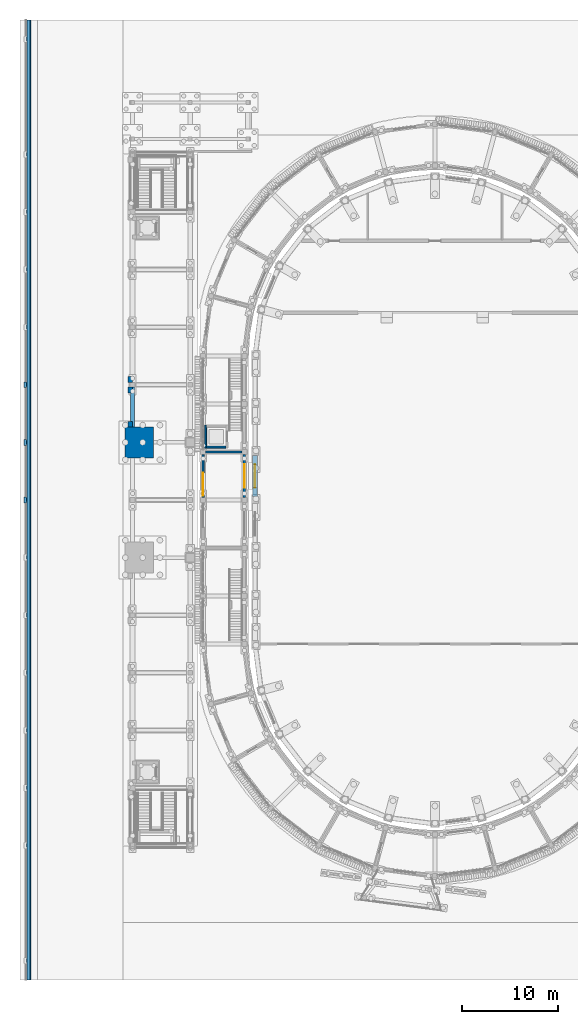
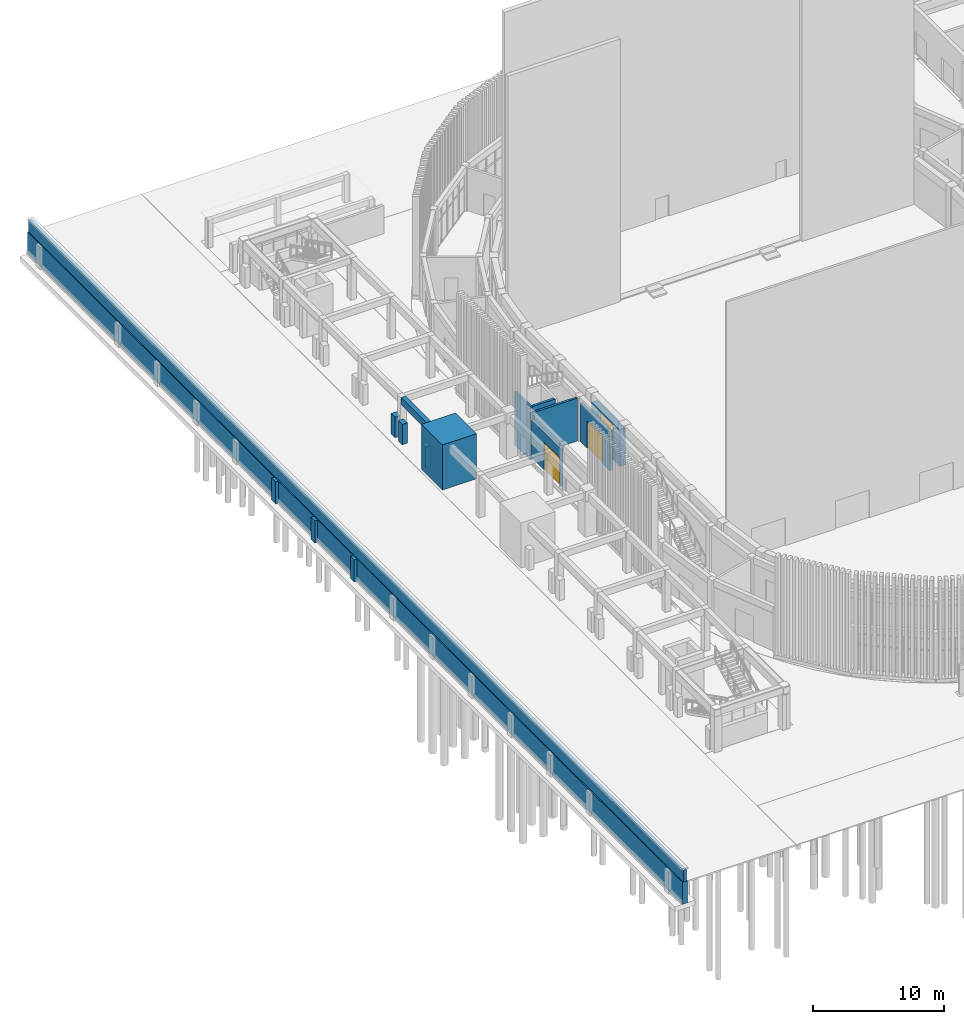
# One storey, part 61 of 112: 16 walls, 3 doors, 3 openings.
"""IFC4 building model written with IfcOpenShell, lengths in metres."""

import ifcopenshell
import ifcopenshell.guid

model = None  # the IFC model being written
_history = None  # IfcOwnerHistory: only IFC2X3 demands one
_inside = {}  # id of a spatial element -> (the spatial element, [elements in it])
_under = {}  # id of a project, library or spatial element -> (it, [spatial elements below it])
_declared = {}  # id of a project -> (the project, [libraries it declares])
_typed = {}  # id of a type object -> (the type object, [elements of that type])
_made_of = {}  # id of a material, layer set ... -> (it, [elements and type objects made of it])


def new_model(schema):
    """Start an empty IFC model of exactly this schema.

    Asked for "IFC4X3", IfcOpenShell would pick the latest addendum, in which some entities
    have other attributes; the version numbers below select the first issue.
    IFC2X3 requires an IfcOwnerHistory on every rooted entity: one is made here for all.
    """
    global model, _history
    if schema == "IFC4X3":
        model = ifcopenshell.file(schema_version=(4, 3, 0, 0))
    else:
        model = ifcopenshell.file(schema=schema)
    _inside.clear()
    _under.clear()
    _declared.clear()
    _typed.clear()
    _made_of.clear()
    _history = None
    if model.schema == "IFC2X3":
        org = make("IfcOrganization", Name="unknown")
        user = make(
            "IfcPersonAndOrganization",
            ThePerson=make("IfcPerson", FamilyName="unknown"),
            TheOrganization=org,
        )
        app = make(
            "IfcApplication",
            ApplicationDeveloper=org,
            Version="unknown",
            ApplicationFullName="unknown",
            ApplicationIdentifier="unknown",
        )
        _history = make(
            "IfcOwnerHistory",
            OwningUser=user,
            OwningApplication=app,
            ChangeAction="ADDED",
            CreationDate=0,
        )
    return model


def make(cls, **values):
    """One entity of the class cls with the attributes given. An attribute that is None is left unset."""
    return model.create_entity(
        cls, **{name: value for name, value in values.items() if value is not None}
    )


def rooted(cls, **values):
    """An entity with a GlobalId (a new one), such as an element, a storey or a relation."""
    return make(cls, GlobalId=ifcopenshell.guid.new(), OwnerHistory=_history, **values)


def si_unit(unit_type, name, prefix=None):
    """IfcSIUnit, for example si_unit("LENGTHUNIT", "METRE", prefix="MILLI")."""
    return make("IfcSIUnit", UnitType=unit_type, Prefix=prefix, Name=name)


def assignment(units):
    """IfcUnitAssignment: the units of a project."""
    return None if units is None else make("IfcUnitAssignment", Units=units)


def point(xyz):
    """IfcCartesianPoint."""
    return None if xyz is None else make("IfcCartesianPoint", Coordinates=xyz)


def direction(xyz):
    """IfcDirection."""
    return None if xyz is None else make("IfcDirection", DirectionRatios=xyz)


def frame(location, z_axis=None, x_axis=None):
    """IfcAxis2Placement3D, a coordinate frame: its origin and axes. An axis left out is left unset."""
    return make(
        "IfcAxis2Placement3D",
        Location=point(location),
        Axis=direction(z_axis),
        RefDirection=direction(x_axis),
    )


def frame_2d(location, x_axis=None):
    """IfcAxis2Placement2D, a coordinate frame in the plane: its origin and x axis."""
    return make(
        "IfcAxis2Placement2D", Location=point(location), RefDirection=direction(x_axis)
    )


def origin():
    """The frame at (0, 0, 0) with its axes left unset."""
    return frame((0.0, 0.0, 0.0))


def place(relative_to, where):
    """IfcLocalPlacement: puts the frame where relative to a parent placement (None: the world)."""
    return make(
        "IfcLocalPlacement", PlacementRelTo=relative_to, RelativePlacement=where
    )


def context(
    kind, dimensions, precision=None, world=None, true_north=None, identifier=None
):
    """IfcGeometricRepresentationContext, for example the 3D "Model" context."""
    return make(
        "IfcGeometricRepresentationContext",
        ContextIdentifier=identifier,
        ContextType=kind,
        CoordinateSpaceDimension=dimensions,
        Precision=precision,
        WorldCoordinateSystem=world,
        TrueNorth=true_north,
    )


def subcontext(parent, identifier, kind, view, scale=None):
    """IfcGeometricRepresentationSubContext, for example "Body" below "Model"."""
    return make(
        "IfcGeometricRepresentationSubContext",
        ContextIdentifier=identifier,
        ContextType=kind,
        ParentContext=parent,
        TargetScale=scale,
        TargetView=view,
    )


def project(units=None, contexts=None):
    """IfcProject with its units and contexts."""
    return rooted(
        "IfcProject",
        Name="project",
        RepresentationContexts=contexts,
        UnitsInContext=assignment(units),
    )


def spatial(cls, under=None, at=None, **own):
    """A site, building, storey or space (cls), placed at a placement, below another one or the project."""
    s = rooted(cls, ObjectPlacement=at, **own)
    if under is not None:
        _under.setdefault(under.id(), (under, []))[1].append(s)
    return s


def profile(cls, at=None, kind="AREA", **sizes):
    """A parametric profile (cls). Its sizes go by their IFC names, for example OverallWidth=200.0."""
    return make(cls, ProfileType=kind, Position=at, **sizes)


def rectangle(**sizes):
    """IfcRectangleProfileDef."""
    return profile("IfcRectangleProfileDef", **sizes)


def extrude(swept, where, along, depth):
    """IfcExtrudedAreaSolid: the profile swept, set in the frame where, extruded along a direction by depth."""
    return make(
        "IfcExtrudedAreaSolid",
        SweptArea=swept,
        Position=where,
        ExtrudedDirection=direction(along),
        Depth=depth,
    )


def shape(context_of_items, identifier, shape_type, items):
    """IfcShapeRepresentation: the items that make up one representation, for example the "Body"."""
    return make(
        "IfcShapeRepresentation",
        ContextOfItems=context_of_items,
        RepresentationIdentifier=identifier,
        RepresentationType=shape_type,
        Items=items,
    )


def material(Name=None, Category=None):
    """IfcMaterial."""
    return make("IfcMaterial", Name=Name, Category=Category)


def layer(
    of_material, thickness, ventilated=None, Name=None, Category=None, Priority=None
):
    """IfcMaterialLayer: one layer of a wall or slab, of a material (None: an air gap)."""
    return make(
        "IfcMaterialLayer",
        Material=of_material,
        LayerThickness=thickness,
        IsVentilated=ventilated,
        Name=Name,
        Category=Category,
        Priority=Priority,
    )


def layer_set(layers, Name=None):
    """IfcMaterialLayerSet."""
    return make("IfcMaterialLayerSet", MaterialLayers=layers, LayerSetName=Name)


def made_of(thing, what):
    """Note that an element or type object is made of a material, layer set ...; save() writes the relation."""
    if what is not None:
        _made_of.setdefault(what.id(), (what, []))[1].append(thing)
    return thing


def type_object(cls, material=None, **own):
    """A type object (cls), such as IfcWallType, which elements share."""
    return made_of(rooted(cls, **own), material)


def element(
    cls,
    number,
    at=None,
    inside=None,
    cuts=None,
    type_object=None,
    material=None,
    context=None,
    identifier="Body",
    shape_type=None,
    held_by="IfcProductDefinitionShape",
    body=None,
    shapes=None,
    **own,
):
    """One element of the class cls, such as IfcWall. Its Tag is "e" and its number.

    at: its placement. inside: the storey or other place that contains it. cuts: it is an
    opening in that element (IfcRelVoidsElement). A single representation is given by context,
    identifier, shape_type and body (its items); several are given by shapes. held_by: the class
    of the entity that holds the representations. save() writes the other relations.
    """
    e = rooted(cls, Tag="e%d" % number, ObjectPlacement=at, **own)
    if body is not None:
        shapes = [shape(context, identifier, shape_type, body)]
    if shapes is not None:
        e.Representation = make(held_by, Representations=shapes)
    if inside is not None:
        _inside.setdefault(inside.id(), (inside, []))[1].append(e)
    if cuts is not None:
        rooted(
            "IfcRelVoidsElement", RelatingBuildingElement=cuts, RelatedOpeningElement=e
        )
    if type_object is not None:
        _typed.setdefault(type_object.id(), (type_object, []))[1].append(e)
    return made_of(e, material)


def fill(opening, filler):
    """IfcRelFillsElement: the door or window that sits in an opening."""
    return rooted(
        "IfcRelFillsElement",
        RelatingOpeningElement=opening,
        RelatedBuildingElement=filler,
    )


def aggregate(whole, parts):
    """IfcRelAggregates: a whole, such as a stair, and the parts it consists of."""
    return rooted("IfcRelAggregates", RelatingObject=whole, RelatedObjects=parts)


def save(model, path):
    """Write the relations noted so far, then the file.

    IfcRelAggregates (storeys below a building ...), IfcRelContainedInSpatialStructure (elements
    in a storey), IfcRelDefinesByType, IfcRelAssociatesMaterial and IfcRelDeclares: one each for
    every whole, place, type object, material and project.
    """
    for whole, parts in _under.values():
        aggregate(whole, parts)
    for where, things in _inside.values():
        rooted(
            "IfcRelContainedInSpatialStructure",
            RelatedElements=things,
            RelatingStructure=where,
        )
    for kind, things in _typed.values():
        rooted("IfcRelDefinesByType", RelatedObjects=things, RelatingType=kind)
    for what, things in _made_of.values():
        rooted("IfcRelAssociatesMaterial", RelatedObjects=things, RelatingMaterial=what)
    for by, libraries in _declared.values():
        rooted("IfcRelDeclares", RelatingContext=by, RelatedDefinitions=libraries)
    model.write(path)


model = new_model("IFC4")

# Units and contexts
model_context = context("Model", 3, precision=1e-05, world=origin(), true_north=direction((0.0, 1.0)))
body_context = subcontext(model_context, "Body", "Model", "MODEL_VIEW")
ifc_project = project(units=[si_unit("LENGTHUNIT", "METRE"), si_unit("AREAUNIT", "SQUARE_METRE"), si_unit("VOLUMEUNIT", "CUBIC_METRE"), si_unit("PLANEANGLEUNIT", "RADIAN"), si_unit("MASSUNIT", "GRAM", prefix="KILO")], contexts=[model_context])

# Site, building, storey
site_placement = place(None, origin())
site = spatial("IfcSite", under=ifc_project, at=site_placement, CompositionType="ELEMENT")
building_placement = place(site_placement, origin())
building = spatial("IfcBuilding", under=site, at=building_placement, Name="Wasatch Bagh Community Centre", CompositionType="ELEMENT")
storey_placement = place(building_placement, origin())
storey = spatial("IfcBuildingStorey", under=building, at=storey_placement, Name="L00", CompositionType="ELEMENT", Elevation=0.0)

# Walls
ifc_material_1 = material(Name="Concrete C40", Category="concrete")
ifc_layer_1 = layer(ifc_material_1, 3.0)
ifc_layer_set_1 = layer_set([ifc_layer_1], Name="Concrete C40")
wall_type_1 = type_object("IfcWallType", Name="CP-W7", PredefinedType="STANDARD", material=ifc_layer_set_1)
wall_1_placement = place(storey_placement, frame((5.199951171875, 54.39990234375, 0.0), z_axis=(0.0, 0.0, 1.0), x_axis=(0.0, 1.0, 0.0)))
element("IfcWall", 1, at=wall_1_placement, inside=storey, type_object=wall_type_1, Name="CP-W7 iwan masonry mass 2", PredefinedType="STANDARD", context=body_context, shape_type="SweptSolid", body=[
    extrude(rectangle(XDim=3.2001953125, YDim=3.0, at=frame_2d((1.60009765625, 0.0))), origin(), (0.0, 0.0, 1.0), 4.199951171875),
])
ifc_layer_2 = layer(ifc_material_1, 0.39990234375)
ifc_layer_set_2 = layer_set([ifc_layer_2], Name="Concrete C40")
wall_type_2 = type_object("IfcWallType", Name="CT-W1", PredefinedType="STANDARD", material=ifc_layer_set_2)
wall_2_placement = place(storey_placement, frame((4.5, 57.60009765625, 3.300048828125), z_axis=(0.0, 0.0, 1.0), x_axis=(0.0, 1.0, 0.0)))
element("IfcWall", 2, at=wall_2_placement, inside=storey, type_object=wall_type_2, Name="CT-W1 arcade spandrel band W2", PredefinedType="STANDARD", context=body_context, shape_type="SweptSolid", body=[
    extrude(rectangle(XDim=4.14990234375, YDim=0.39990234375, at=frame_2d((2.074951171875, 0.0))), origin(), (0.0, 0.0, 1.0), 0.64990234375),
])
ifc_layer_3 = layer(ifc_material_1, 0.449951171875)
ifc_layer_set_3 = layer_set([ifc_layer_3], Name="Concrete C40")
wall_type_3 = type_object("IfcWallType", Name="CT-W6", PredefinedType="STANDARD", material=ifc_layer_set_3)
wall_3_placement = place(storey_placement, frame((4.27490234375, 62.25, 0.0), z_axis=(0.0, 0.0, 1.0), x_axis=(0.0, 1.0, 0.0)))
element("IfcWall", 3, at=wall_3_placement, inside=storey, type_object=wall_type_3, Name="CT-W6 colonnade pier panel", PredefinedType="STANDARD", context=body_context, shape_type="SweptSolid", body=[
    extrude(rectangle(XDim=0.60009765625, YDim=0.449951171875, at=frame_2d((0.300048828125, 0.0))), origin(), (0.0, 0.0, 1.0), 1.89990234375),
])
wall_4_placement = place(storey_placement, frame((4.27490234375, 57.60009765625, 0.0), z_axis=(0.0, 0.0, 1.0), x_axis=(0.0, 1.0, 0.0)))
element("IfcWall", 4, at=wall_4_placement, inside=storey, type_object=wall_type_3, Name="CT-W6 colonnade pier panel", PredefinedType="STANDARD", context=body_context, shape_type="SweptSolid", body=[
    extrude(rectangle(XDim=0.599853515625, YDim=0.449951171875, at=frame_2d((0.2998046875, 0.0))), origin(), (0.0, 0.0, 1.0), 1.89990234375),
])
wall_5_placement = place(storey_placement, frame((4.27490234375, 61.75, 0.0), z_axis=(0.0, 0.0, 1.0), x_axis=(0.0, -1.0, 0.0)))
element("IfcWall", 5, at=wall_5_placement, inside=storey, type_object=wall_type_3, Name="CT-W6 colonnade pier panel", PredefinedType="STANDARD", context=body_context, shape_type="SweptSolid", body=[
    extrude(rectangle(XDim=0.60009765625, YDim=0.449951171875, at=frame_2d((0.300048828125, 0.0))), origin(), (0.0, 0.0, 1.0), 1.89990234375),
])
ifc_layer_4 = layer(ifc_material_1, 0.199951171875)
ifc_layer_set_4 = layer_set([ifc_layer_4], Name="Concrete C40")
wall_type_4 = type_object("IfcWallType", Name="Drum core wall RC WALL 200", PredefinedType="STANDARD", material=ifc_layer_set_4)
wall_6_placement = place(storey_placement, frame((15.89990234375, 55.0, 0.0), z_axis=(0.0, 0.0, 1.0), x_axis=(-1.0, 0.0, 0.0)))
element("IfcWall", 6, at=wall_6_placement, inside=storey, type_object=wall_type_4, Name="Partition 32", PredefinedType="STANDARD", context=body_context, shape_type="SweptSolid", body=[
    extrude(rectangle(XDim=3.7998046875, YDim=0.199951171875, at=frame_2d((1.89990234375, 0.0))), origin(), (0.0, 0.0, 1.0), 4.0),
])

# Wall, opening, door
ifc_layer_5 = layer(ifc_material_1, 0.199951171875)
ifc_layer_set_5 = layer_set([ifc_layer_5], Name="Concrete C40")
wall_type_5 = type_object("IfcWallType", Name="Drum entrance bay wall RC WALL 200", PredefinedType="STANDARD", material=ifc_layer_set_5)
wall_7_placement = place(storey_placement, frame((11.85009765625, 54.74951171875, 0.0), z_axis=(0.0, 0.0, 1.0), x_axis=(0.0, -1.0, 0.0)))
wall_7 = element("IfcWall", 7, at=wall_7_placement, inside=storey, type_object=wall_type_5, Name="Entrance bay wall 33", PredefinedType="STANDARD", context=body_context, shape_type="SweptSolid", body=[
    extrude(rectangle(XDim=4.4990234375, YDim=0.199951171875, at=frame_2d((2.24951171875, 0.0))), origin(), (0.0, 0.0, 1.0), 3.5),
])
opening_1_placement = place(wall_7_placement, frame((1.8994140625, 0.0, 0.0)))
opening_1 = element("IfcOpeningElement", 8, at=opening_1_placement, cuts=wall_7, Name="Opening 0F-13", PredefinedType="OPENING", context=body_context, shape_type="SweptSolid", body=[
    extrude(rectangle(XDim=2.39990234375, YDim=2.60009765625, at=frame_2d((1.199951171875, 1.300048828125))), frame((0.0, 0.10986328125, 0.0), z_axis=(0.0, -1.0, 0.0), x_axis=(1.0, 0.0, 0.0)), (0.0, 0.0, 1.0), 0.219970703125),
])
ifc_material_2 = material(Name="Aluminium framed door with low-iron insulated glass", Category="aluminium")
door_type_1 = type_object("IfcDoorType", Name="Drum entrance door pair 2400 x 2600", OperationType="DOUBLE_DOOR_DOUBLE_SWING", PredefinedType="DOOR", material=ifc_material_2)
door_1_placement = place(opening_1_placement, origin())
door_1 = element("IfcDoor", 9, at=door_1_placement, inside=storey, type_object=door_type_1, Name="Door 0F-13", OperationType="DOUBLE_DOOR_DOUBLE_SWING", OverallHeight=2.60009765625, OverallWidth=2.39990234375, PredefinedType="DOOR", context=body_context, shape_type="SweptSolid", body=[
    extrude(rectangle(XDim=2.39990234375, YDim=2.60009765625, at=frame_2d((1.199951171875, 1.300048828125))), frame((0.0, 0.02490234375, 0.0), z_axis=(0.0, -1.0, 0.0), x_axis=(1.0, 0.0, 0.0)), (0.0, 0.0, 1.0), 0.050048828125),
])
fill(opening_1, door_1)

ifc_layer_6 = layer(ifc_material_1, 0.25)
ifc_layer_set_6 = layer_set([ifc_layer_6], Name="Concrete C40")
wall_type_6 = type_object("IfcWallType", Name="Drum inner wall RC WALL 250", PredefinedType="SHEAR", material=ifc_layer_set_6)
wall_8_placement = place(storey_placement, frame((16.14990234375, 54.74951171875, 0.0), z_axis=(0.0, 0.0, 1.0), x_axis=(0.0, -1.0, 0.0)))
wall_8 = element("IfcWall", 10, at=wall_8_placement, inside=storey, type_object=wall_type_6, Name="Inner wall 33", PredefinedType="SHEAR", context=body_context, shape_type="SweptSolid", body=[
    extrude(rectangle(XDim=4.4990234375, YDim=0.25, at=frame_2d((2.24951171875, 0.0))), origin(), (0.0, 0.0, 1.0), 3.60009765625),
])
opening_2_placement = place(wall_8_placement, frame((1.049560546875, 0.0, 0.0)))
opening_2 = element("IfcOpeningElement", 11, at=opening_2_placement, cuts=wall_8, Name="Opening 0F-61", PredefinedType="OPENING", context=body_context, shape_type="SweptSolid", body=[
    extrude(rectangle(XDim=2.39990234375, YDim=2.60009765625, at=frame_2d((1.199951171875, 1.300048828125))), frame((0.0, 0.135009765625, 0.0), z_axis=(0.0, -1.0, 0.0), x_axis=(1.0, 0.0, 0.0)), (0.0, 0.0, 1.0), 0.27001953125),
])
door_type_2 = type_object("IfcDoorType", Name="Drum gate door pair 2400 x 2600", OperationType="DOUBLE_DOOR_SLIDING", PredefinedType="DOOR", material=ifc_material_2)
door_2_placement = place(opening_2_placement, origin())
door_2 = element("IfcDoor", 12, at=door_2_placement, inside=storey, type_object=door_type_2, Name="Door 0F-61", OperationType="DOUBLE_DOOR_SLIDING", OverallHeight=2.60009765625, OverallWidth=2.39990234375, PredefinedType="DOOR", context=body_context, shape_type="SweptSolid", body=[
    extrude(rectangle(XDim=2.39990234375, YDim=2.60009765625, at=frame_2d((1.199951171875, 1.300048828125))), frame((0.0, 0.02490234375, 0.0), z_axis=(0.0, -1.0, 0.0), x_axis=(1.0, 0.0, 0.0)), (0.0, 0.0, 1.0), 0.050048828125),
])
fill(opening_2, door_2)

# Walls
ifc_layer_7 = layer(ifc_material_1, 0.199951171875)
ifc_layer_set_7 = layer_set([ifc_layer_7], Name="Concrete C40")
wall_type_7 = type_object("IfcWallType", Name="Drum lift shaft wall RC WALL 200", PredefinedType="SHEAR", material=ifc_layer_set_7)
wall_9_placement = place(storey_placement, frame((12.125, 57.800048828125, -0.75), z_axis=(0.0, 0.0, 1.0), x_axis=(0.0, -1.0, 0.0)))
element("IfcWall", 13, at=wall_9_placement, inside=storey, type_object=wall_type_7, Name="Lift shaft wall NW out", PredefinedType="SHEAR", context=body_context, shape_type="SweptSolid", body=[
    extrude(rectangle(XDim=2.400146484375, YDim=0.199951171875, at=frame_2d((1.2001953125, 0.0))), origin(), (0.0, 0.0, 1.0), 4.949951171875),
])
wall_10_placement = place(storey_placement, frame((14.22509765625, 55.5, -0.75), z_axis=(0.0, 0.0, 1.0), x_axis=(-1.0, 0.0, 0.0)))
element("IfcWall", 14, at=wall_10_placement, inside=storey, type_object=wall_type_7, Name="Lift shaft wall NW a1", PredefinedType="SHEAR", context=body_context, shape_type="SweptSolid", body=[
    extrude(rectangle(XDim=2.0, YDim=0.199951171875, at=frame_2d((1.0, 0.0))), origin(), (0.0, 0.0, 1.0), 4.949951171875),
])

# Wall, opening, door
ifc_layer_8 = layer(ifc_material_1, 0.5)
ifc_layer_set_8 = layer_set([ifc_layer_8], Name="Concrete C40")
wall_type_8 = type_object("IfcWallType", Name="MH wall RC WALL 500", PredefinedType="SHEAR", material=ifc_layer_set_8)
wall_11_placement = place(storey_placement, frame((17.25, 54.6494140625, 0.0), z_axis=(0.0, 0.0, 1.0), x_axis=(0.0, -1.0, 0.0)))
wall_11 = element("IfcWall", 15, at=wall_11_placement, inside=storey, type_object=wall_type_8, Name="Capsule wall 33", PredefinedType="SHEAR", context=body_context, shape_type="SweptSolid", body=[
    extrude(rectangle(XDim=4.298828125, YDim=0.5, at=frame_2d((2.1494140625, 0.0))), origin(), (0.0, 0.0, 1.0), 3.39990234375),
])
opening_3_placement = place(wall_11_placement, frame((0.949462890625, 0.0, 0.0)))
opening_3 = element("IfcOpeningElement", 16, at=opening_3_placement, cuts=wall_11, Name="Opening 0M-09", PredefinedType="OPENING", context=body_context, shape_type="SweptSolid", body=[
    extrude(rectangle(XDim=2.39990234375, YDim=3.199951171875, at=frame_2d((1.199951171875, 1.60009765625))), frame((0.0, 0.260009765625, 0.0), z_axis=(0.0, -1.0, 0.0), x_axis=(1.0, 0.0, 0.0)), (0.0, 0.0, 1.0), 0.52001953125),
])
door_type_3 = type_object("IfcDoorType", Name="MH gate door pair 2400 x 3200", OperationType="DOUBLE_DOOR_SLIDING", PredefinedType="DOOR", material=ifc_material_2)
door_3_placement = place(opening_3_placement, origin())
door_3 = element("IfcDoor", 17, at=door_3_placement, inside=storey, type_object=door_type_3, Name="Door 0M-09", OperationType="DOUBLE_DOOR_SLIDING", OverallHeight=3.199951171875, OverallWidth=2.39990234375, PredefinedType="DOOR", context=body_context, shape_type="SweptSolid", body=[
    extrude(rectangle(XDim=2.39990234375, YDim=3.199951171875, at=frame_2d((1.199951171875, 1.60009765625))), frame((0.0, 0.02490234375, 0.0), z_axis=(0.0, -1.0, 0.0), x_axis=(1.0, 0.0, 0.0)), (0.0, 0.0, 1.0), 0.050048828125),
])
fill(opening_3, door_3)

# Walls
ifc_material_3 = material(Name="Concrete C35", Category="concrete")
ifc_layer_9 = layer(ifc_material_3, 0.300048828125)
ifc_layer_set_9 = layer_set([ifc_layer_9], Name="Concrete C35")
wall_type_9 = type_object("IfcWallType", Name="SITE-PW", PredefinedType="PARAPET", material=ifc_layer_set_9)
wall_12_placement = place(storey_placement, frame((-6.324951171875, 0.0, 0.0), z_axis=(0.0, 0.0, 1.0), x_axis=(0.0, 1.0, 0.0)))
element("IfcWall", 18, at=wall_12_placement, inside=storey, type_object=wall_type_9, Name="Quay parapet 1", PredefinedType="PARAPET", context=body_context, shape_type="SweptSolid", body=[
    extrude(rectangle(XDim=100.0, YDim=0.300048828125, at=frame_2d((50.0, 0.0))), origin(), (0.0, 0.0, 1.0), 1.10009765625),
])
ifc_layer_10 = layer(ifc_material_3, 0.449951171875)
ifc_layer_set_10 = layer_set([ifc_layer_10], Name="Concrete C35")
wall_type_10 = type_object("IfcWallType", Name="SITE-Q1", PredefinedType="SOLIDWALL", material=ifc_layer_set_10)
wall_13_placement = place(storey_placement, frame((-6.324951171875, 0.0, -2.050048828125), z_axis=(0.0, 0.0, 1.0), x_axis=(0.0, 1.0, 0.0)))
element("IfcWall", 19, at=wall_13_placement, inside=storey, type_object=wall_type_10, Name="Quay wall 1", PredefinedType="SOLIDWALL", context=body_context, shape_type="SweptSolid", body=[
    extrude(rectangle(XDim=100.0, YDim=0.449951171875, at=frame_2d((50.0, 0.0))), origin(), (0.0, 0.0, 1.0), 2.050048828125),
])
ifc_layer_11 = layer(ifc_material_3, 0.25)
ifc_layer_set_11 = layer_set([ifc_layer_11], Name="Concrete C35")
wall_type_11 = type_object("IfcWallType", Name="SITE-QP", PredefinedType="SOLIDWALL", material=ifc_layer_set_11)
for number, where, z_axis, x_axis, name in (
    (20, (-6.675048828125, 49.699951171875, -2.050048828125), (0.0, 0.0, 1.0), (0.0, 1.0, 0.0), "Quay pilaster 8"),
    (21, (-6.675048828125, 55.699951171875, -2.050048828125), (0.0, 0.0, 1.0), (0.0, 1.0, 0.0), "Quay pilaster 9"),
    (22, (-6.675048828125, 61.699951171875, -2.050048828125), (0.0, 0.0, 1.0), (0.0, 1.0, 0.0), "Quay pilaster 10"),
):
    element("IfcWall", number, at=place(storey_placement, frame(where, z_axis=z_axis, x_axis=x_axis)), inside=storey, type_object=wall_type_11, Name=name, PredefinedType="SOLIDWALL", context=body_context, shape_type="SweptSolid", body=[
        extrude(rectangle(XDim=0.60009765625, YDim=0.25, at=frame_2d((0.300048828125, 0.0))), origin(), (0.0, 0.0, 1.0), 2.050048828125),
    ])

save(model, "model.ifc")
